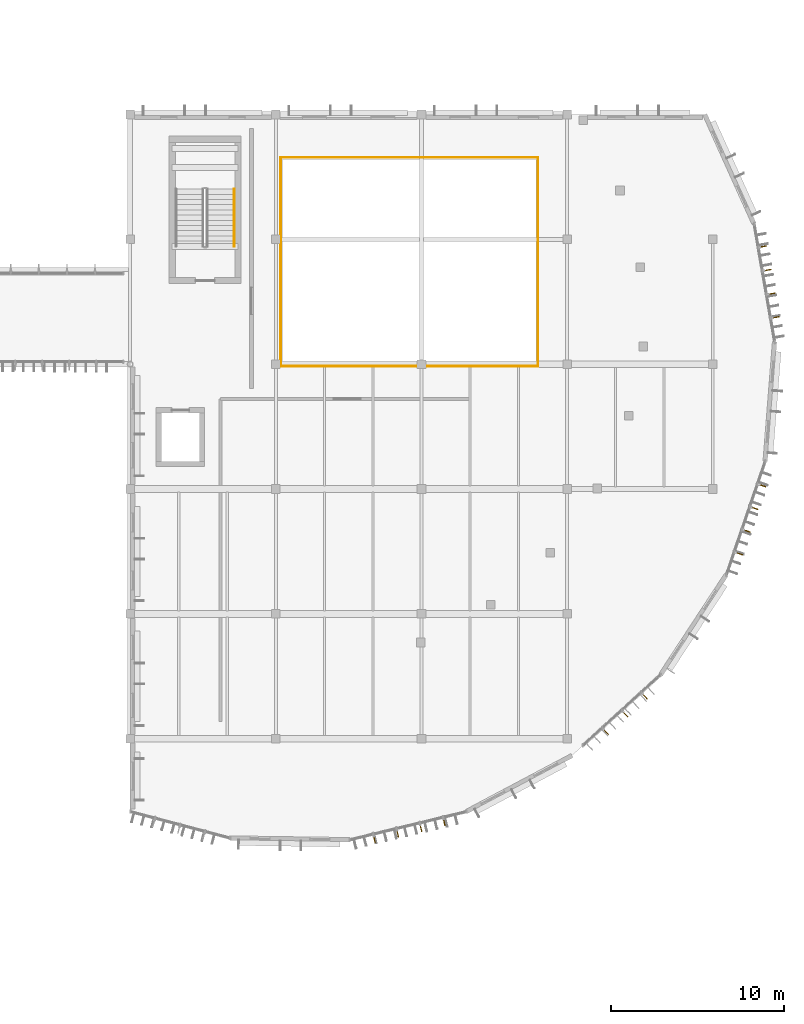
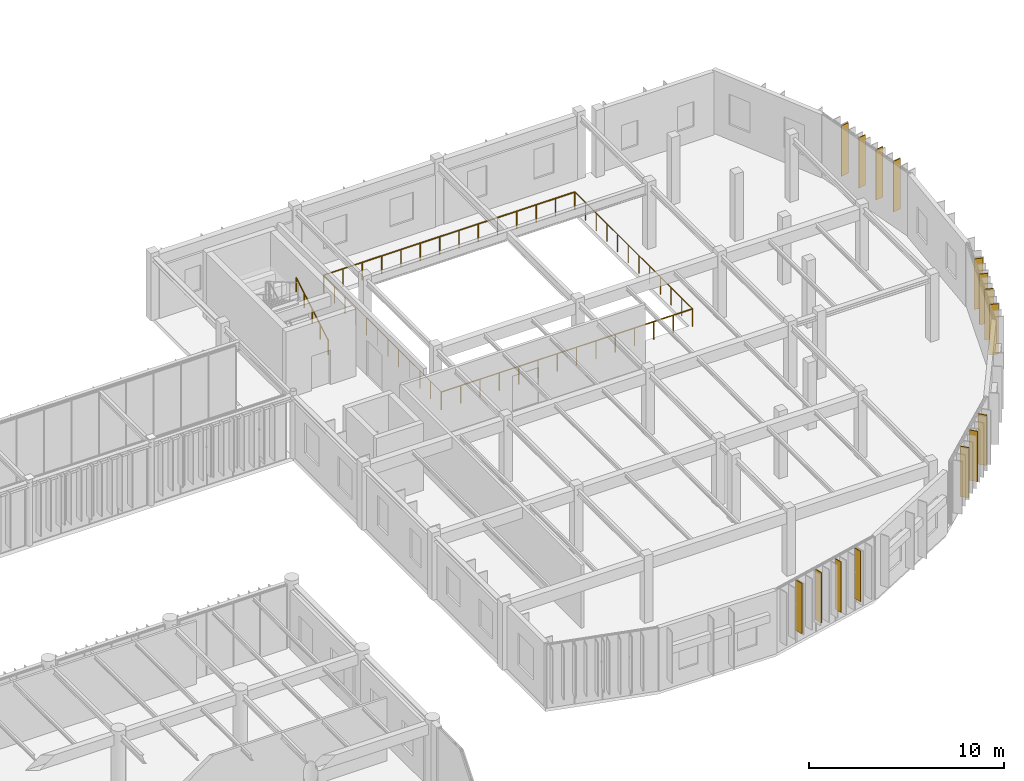
# One storey, part 121 of 122: 15 shading devices, 5 railings.
"""IFC4 building model written with IfcOpenShell, lengths in metres."""

from ifc_helpers import new_model, si_unit, direction, frame, origin, origin_2d, place, context, subcontext, project, spatial, rectangle, circle, extrude, material, layer, layer_set, material_profile, profile_set, type_object, element, save


model = new_model("IFC4")

# Units and contexts
model_context = context("Model", 3, precision=1e-05, world=origin(), true_north=direction((0.0, 1.0)))
body_context = subcontext(model_context, "Body", "Model", "MODEL_VIEW")
ifc_project = project(units=[si_unit("LENGTHUNIT", "METRE"), si_unit("AREAUNIT", "SQUARE_METRE"), si_unit("VOLUMEUNIT", "CUBIC_METRE"), si_unit("PLANEANGLEUNIT", "RADIAN"), si_unit("MASSUNIT", "GRAM", prefix="KILO")], contexts=[model_context])

# Site, building, storey
site_placement = place(None, origin())
site = spatial("IfcSite", under=ifc_project, at=site_placement, CompositionType="ELEMENT")
building_placement = place(site_placement, origin())
building = spatial("IfcBuilding", under=site, at=building_placement, Name="Tazoul Stagehouse", CompositionType="ELEMENT")
storey_placement = place(building_placement, frame((0.0, 0.0, 4.800048828125)))
storey = spatial("IfcBuildingStorey", under=building, at=storey_placement, Name="L01", CompositionType="ELEMENT", Elevation=4.800048828125)

# Shading devices
ifc_material_1 = material(Name="Anodised Bronze Aluminium 6063-T6", Category="aluminium")
ifc_layer_1 = layer(ifc_material_1, 0.050048828125, Name="Anodised Bronze Aluminium 6063-T6")
ifc_layer_set_1 = layer_set([ifc_layer_1], Name="Anodised Bronze Aluminium 6063-T6")
shading_device_type_1 = type_object("IfcShadingDeviceType", Name="Angled Acoustic Sun-Screen Blade 460", PredefinedType="USERDEFINED", material=ifc_layer_set_1)
for number, where, z_axis, x_axis, name in (
    (1, (139.477783203125, 17.223388671875, 0.75), (0.0, 0.0, 1.0), (0.972063098492, 0.234719689311, 0.0), "Shading Louvre FIN-02 CW-V4-DRUM-L01-S03-SHD01"),
    (2, (142.16455078125, 17.8720703125, 0.75), (0.0, 0.0, 1.0), (0.972063098492, 0.234719689311, 0.0), "Shading Louvre FIN-02 CW-V4-DRUM-L01-S03-SHD03"),
    (3, (152.821044921875, 23.4140625, 0.75), (0.0, 0.0, 1.0), (0.739146956888, 0.673544190178, 0.0), "Shading Louvre FIN-02 CW-V4-DRUM-L01-S05-SHD01"),
    (4, (155.064453125, 25.458251953125, 0.75), (0.0, 0.0, 1.0), (0.739146956888, 0.673544190178, 0.0), "Shading Louvre FIN-02 CW-V4-DRUM-L01-S05-SHD03"),
    (5, (160.50146484375, 33.681640625, 0.75), (0.0, 0.0, 1.0), (0.323785316605, 0.946130577009, 0.0), "Shading Louvre FIN-02 CW-V4-DRUM-L01-S07-SHD01"),
    (6, (161.396484375, 36.296875, 0.75), (0.0, 0.0, 1.0), (0.323785316605, 0.946130577009, 0.0), "Shading Louvre FIN-02 CW-V4-DRUM-L01-S07-SHD03"),
    (7, (162.608642578125, 47.30126953125, 0.75), (0.0, 0.0, 1.0), (-0.171495809953, 0.985184849238, 0.0), "Shading Louvre FIN-02 CW-V4-DRUM-L01-S09-SHD01"),
    (8, (162.134521484375, 50.0244140625, 0.75), (0.0, 0.0, 1.0), (-0.171495809953, 0.985184849238, 0.0), "Shading Louvre FIN-02 CW-V4-DRUM-L01-S09-SHD03"),
):
    element("IfcShadingDevice", number, at=place(storey_placement, frame(where, z_axis=z_axis, x_axis=x_axis)), inside=storey, type_object=shading_device_type_1, Name=name, ObjectType="FIN", PredefinedType="USERDEFINED", context=body_context, shape_type="SweptSolid", body=[
        extrude(rectangle(XDim=0.044921875, YDim=0.4599609375, at=origin_2d()), origin(), (0.0, 0.0, 1.0), 3.14990234375),
    ])

# Railings
ifc_material_2 = material(Name="Brushed Stainless Steel 316L", Category="steel")
ifc_material_profile_1 = material_profile(ifc_material_2, circle(Radius=0.02392578125, at=origin_2d()), Name="SS RAIL D48")
ifc_profile_set_1 = profile_set([ifc_material_profile_1], Name="Brushed Stainless Steel 316L")
railing_type_1 = type_object("IfcRailingType", Name="Architectural Guardrail H1120", PredefinedType="GUARDRAIL", material=ifc_profile_set_1)
railing_1_placement = place(storey_placement, frame((134.080078125, 44.47998046875, 0.0)))
element("IfcRailing", 9, at=railing_1_placement, inside=storey, type_object=railing_type_1, Name="L01 Open-Edge Guard GRD-01 (GRD-VOID4-S1)", PredefinedType="GUARDRAIL", context=body_context, shape_type="SweptSolid", body=[
    extrude(circle(Radius=0.02392578125, at=origin_2d()), frame((0.0, 0.0, 1.09619140625), z_axis=(1.0, 0.0, 0.0), x_axis=(0.0, 1.0, 0.0)), (0.0, 0.0, 1.0), 14.83984375),
    extrude(circle(Radius=0.02099609375, at=origin_2d()), origin(), (0.0, 0.0, 1.0), 1.072021484375),
    extrude(circle(Radius=0.02099609375, at=origin_2d()), frame((1.1416015625, 0.0, 0.0)), (0.0, 0.0, 1.0), 1.072021484375),
    extrude(circle(Radius=0.02099609375, at=origin_2d()), frame((2.282958984375, 0.0, 0.0)), (0.0, 0.0, 1.0), 1.072021484375),
    extrude(circle(Radius=0.02099609375, at=origin_2d()), frame((3.424560546875, 0.0, 0.0)), (0.0, 0.0, 1.0), 1.072021484375),
    extrude(circle(Radius=0.02099609375, at=origin_2d()), frame((4.566162109375, 0.0, 0.0)), (0.0, 0.0, 1.0), 1.072021484375),
    extrude(circle(Radius=0.02099609375, at=origin_2d()), frame((5.70751953125, 0.0, 0.0)), (0.0, 0.0, 1.0), 1.072021484375),
    extrude(circle(Radius=0.02099609375, at=origin_2d()), frame((6.84912109375, 0.0, 0.0)), (0.0, 0.0, 1.0), 1.072021484375),
    extrude(circle(Radius=0.02099609375, at=origin_2d()), frame((7.99072265625, 0.0, 0.0)), (0.0, 0.0, 1.0), 1.072021484375),
    extrude(circle(Radius=0.02099609375, at=origin_2d()), frame((9.13232421875, 0.0, 0.0)), (0.0, 0.0, 1.0), 1.072021484375),
    extrude(circle(Radius=0.02099609375, at=origin_2d()), frame((10.273681640625, 0.0, 0.0)), (0.0, 0.0, 1.0), 1.072021484375),
    extrude(circle(Radius=0.02099609375, at=origin_2d()), frame((11.415283203125, 0.0, 0.0)), (0.0, 0.0, 1.0), 1.072021484375),
    extrude(circle(Radius=0.02099609375, at=origin_2d()), frame((12.556884765625, 0.0, 0.0)), (0.0, 0.0, 1.0), 1.072021484375),
    extrude(circle(Radius=0.02099609375, at=origin_2d()), frame((13.6982421875, 0.0, 0.0)), (0.0, 0.0, 1.0), 1.072021484375),
    extrude(circle(Radius=0.02099609375, at=origin_2d()), frame((14.83984375, 0.0, 0.0)), (0.0, 0.0, 1.0), 1.072021484375),
])
railing_2_placement = place(storey_placement, frame((148.919921875, 44.47998046875, 0.0)))
element("IfcRailing", 10, at=railing_2_placement, inside=storey, type_object=railing_type_1, Name="L01 Open-Edge Guard GRD-01 (GRD-VOID4-E1)", PredefinedType="GUARDRAIL", context=body_context, shape_type="SweptSolid", body=[
    extrude(circle(Radius=0.02392578125, at=origin_2d()), frame((0.0, 0.0, 1.09619140625), z_axis=(0.0, 1.0, 0.0), x_axis=(-1.0, 0.0, 0.0)), (0.0, 0.0, 1.0), 12.0400390625),
    extrude(circle(Radius=0.02099609375, at=origin_2d()), origin(), (0.0, 0.0, 1.0), 1.072021484375),
    extrude(circle(Radius=0.02099609375, at=origin_2d()), frame((0.0, 1.094482421875, 0.0)), (0.0, 0.0, 1.0), 1.072021484375),
    extrude(circle(Radius=0.02099609375, at=origin_2d()), frame((0.0, 2.189208984375, 0.0)), (0.0, 0.0, 1.0), 1.072021484375),
    extrude(circle(Radius=0.02099609375, at=origin_2d()), frame((0.0, 3.28369140625, 0.0)), (0.0, 0.0, 1.0), 1.072021484375),
    extrude(circle(Radius=0.02099609375, at=origin_2d()), frame((0.0, 4.378173828125, 0.0)), (0.0, 0.0, 1.0), 1.072021484375),
    extrude(circle(Radius=0.02099609375, at=origin_2d()), frame((0.0, 5.47265625, 0.0)), (0.0, 0.0, 1.0), 1.072021484375),
    extrude(circle(Radius=0.02099609375, at=origin_2d()), frame((0.0, 6.5673828125, 0.0)), (0.0, 0.0, 1.0), 1.072021484375),
    extrude(circle(Radius=0.02099609375, at=origin_2d()), frame((0.0, 7.661865234375, 0.0)), (0.0, 0.0, 1.0), 1.072021484375),
    extrude(circle(Radius=0.02099609375, at=origin_2d()), frame((0.0, 8.75634765625, 0.0)), (0.0, 0.0, 1.0), 1.072021484375),
    extrude(circle(Radius=0.02099609375, at=origin_2d()), frame((0.0, 9.850830078125, 0.0)), (0.0, 0.0, 1.0), 1.072021484375),
    extrude(circle(Radius=0.02099609375, at=origin_2d()), frame((0.0, 10.945556640625, 0.0)), (0.0, 0.0, 1.0), 1.072021484375),
    extrude(circle(Radius=0.02099609375, at=origin_2d()), frame((0.0, 12.0400390625, 0.0)), (0.0, 0.0, 1.0), 1.072021484375),
])
railing_3_placement = place(storey_placement, frame((148.919921875, 56.52001953125, 0.0)))
element("IfcRailing", 11, at=railing_3_placement, inside=storey, type_object=railing_type_1, Name="L01 Open-Edge Guard GRD-01 (GRD-VOID4-N1)", PredefinedType="GUARDRAIL", context=body_context, shape_type="SweptSolid", body=[
    extrude(circle(Radius=0.02392578125, at=origin_2d()), frame((0.0, 0.0, 1.09619140625), z_axis=(-1.0, 0.0, 0.0), x_axis=(0.0, -1.0, 0.0)), (0.0, 0.0, 1.0), 14.83984375),
    extrude(circle(Radius=0.02099609375, at=origin_2d()), origin(), (0.0, 0.0, 1.0), 1.072021484375),
    extrude(circle(Radius=0.02099609375, at=origin_2d()), frame((-1.1416015625, 0.0, 0.0)), (0.0, 0.0, 1.0), 1.072021484375),
    extrude(circle(Radius=0.02099609375, at=origin_2d()), frame((-2.282958984375, 0.0, 0.0)), (0.0, 0.0, 1.0), 1.072021484375),
    extrude(circle(Radius=0.02099609375, at=origin_2d()), frame((-3.424560546875, 0.0, 0.0)), (0.0, 0.0, 1.0), 1.072021484375),
    extrude(circle(Radius=0.02099609375, at=origin_2d()), frame((-4.566162109375, 0.0, 0.0)), (0.0, 0.0, 1.0), 1.072021484375),
    extrude(circle(Radius=0.02099609375, at=origin_2d()), frame((-5.70751953125, 0.0, 0.0)), (0.0, 0.0, 1.0), 1.072021484375),
    extrude(circle(Radius=0.02099609375, at=origin_2d()), frame((-6.84912109375, 0.0, 0.0)), (0.0, 0.0, 1.0), 1.072021484375),
    extrude(circle(Radius=0.02099609375, at=origin_2d()), frame((-7.99072265625, 0.0, 0.0)), (0.0, 0.0, 1.0), 1.072021484375),
    extrude(circle(Radius=0.02099609375, at=origin_2d()), frame((-9.13232421875, 0.0, 0.0)), (0.0, 0.0, 1.0), 1.072021484375),
    extrude(circle(Radius=0.02099609375, at=origin_2d()), frame((-10.273681640625, 0.0, 0.0)), (0.0, 0.0, 1.0), 1.072021484375),
    extrude(circle(Radius=0.02099609375, at=origin_2d()), frame((-11.415283203125, 0.0, 0.0)), (0.0, 0.0, 1.0), 1.072021484375),
    extrude(circle(Radius=0.02099609375, at=origin_2d()), frame((-12.556884765625, 0.0, 0.0)), (0.0, 0.0, 1.0), 1.072021484375),
    extrude(circle(Radius=0.02099609375, at=origin_2d()), frame((-13.6982421875, 0.0, 0.0)), (0.0, 0.0, 1.0), 1.072021484375),
    extrude(circle(Radius=0.02099609375, at=origin_2d()), frame((-14.83984375, 0.0, 0.0)), (0.0, 0.0, 1.0), 1.072021484375),
])
railing_4_placement = place(storey_placement, frame((134.080078125, 56.52001953125, 0.0)))
element("IfcRailing", 12, at=railing_4_placement, inside=storey, type_object=railing_type_1, Name="L01 Open-Edge Guard GRD-01 (GRD-VOID4-W1)", PredefinedType="GUARDRAIL", context=body_context, shape_type="SweptSolid", body=[
    extrude(circle(Radius=0.02392578125, at=origin_2d()), frame((0.0, 0.0, 1.09619140625), z_axis=(0.0, -1.0, 0.0), x_axis=(1.0, 0.0, 0.0)), (0.0, 0.0, 1.0), 12.0400390625),
    extrude(circle(Radius=0.02099609375, at=origin_2d()), origin(), (0.0, 0.0, 1.0), 1.072021484375),
    extrude(circle(Radius=0.02099609375, at=origin_2d()), frame((0.0, -1.094482421875, 0.0)), (0.0, 0.0, 1.0), 1.072021484375),
    extrude(circle(Radius=0.02099609375, at=origin_2d()), frame((0.0, -2.189208984375, 0.0)), (0.0, 0.0, 1.0), 1.072021484375),
    extrude(circle(Radius=0.02099609375, at=origin_2d()), frame((0.0, -3.28369140625, 0.0)), (0.0, 0.0, 1.0), 1.072021484375),
    extrude(circle(Radius=0.02099609375, at=origin_2d()), frame((0.0, -4.378173828125, 0.0)), (0.0, 0.0, 1.0), 1.072021484375),
    extrude(circle(Radius=0.02099609375, at=origin_2d()), frame((0.0, -5.47265625, 0.0)), (0.0, 0.0, 1.0), 1.072021484375),
    extrude(circle(Radius=0.02099609375, at=origin_2d()), frame((0.0, -6.5673828125, 0.0)), (0.0, 0.0, 1.0), 1.072021484375),
    extrude(circle(Radius=0.02099609375, at=origin_2d()), frame((0.0, -7.661865234375, 0.0)), (0.0, 0.0, 1.0), 1.072021484375),
    extrude(circle(Radius=0.02099609375, at=origin_2d()), frame((0.0, -8.75634765625, 0.0)), (0.0, 0.0, 1.0), 1.072021484375),
    extrude(circle(Radius=0.02099609375, at=origin_2d()), frame((0.0, -9.850830078125, 0.0)), (0.0, 0.0, 1.0), 1.072021484375),
    extrude(circle(Radius=0.02099609375, at=origin_2d()), frame((0.0, -10.945556640625, 0.0)), (0.0, 0.0, 1.0), 1.072021484375),
    extrude(circle(Radius=0.02099609375, at=origin_2d()), frame((0.0, -12.0400390625, 0.0)), (0.0, 0.0, 1.0), 1.072021484375),
])
ifc_material_profile_2 = material_profile(ifc_material_2, circle(Radius=0.02099609375, at=origin_2d()), Name="SS HANDRAIL D42")
ifc_profile_set_2 = profile_set([ifc_material_profile_2], Name="Brushed Stainless Steel 316L")
railing_type_2 = type_object("IfcRailingType", Name="Continuous Stair Handrail H900", PredefinedType="HANDRAIL", material=ifc_profile_set_2)
railing_5_placement = place(storey_placement, frame((131.39990234375, 51.39990234375, 0.175048828125)))
element("IfcRailing", 13, at=railing_5_placement, inside=storey, type_object=railing_type_2, Name="L01 ST-07 stair handrail 1", PredefinedType="HANDRAIL", context=body_context, shape_type="SweptSolid", body=[
    extrude(circle(Radius=0.02392578125, at=origin_2d()), frame((0.0, 0.0, 0.8759765625), z_axis=(0.0, 0.863804395585, 0.503827317807), x_axis=(-1.0, 0.0, 0.0)), (0.0, 0.0, 1.0), 3.8203125),
    extrude(circle(Radius=0.02099609375, at=origin_2d()), origin(), (0.0, 0.0, 1.0), 0.851806640625),
    extrude(circle(Radius=0.02099609375, at=origin_2d()), frame((0.0, 0.824951171875, 0.481201171875)), (0.0, 0.0, 1.0), 0.851806640625),
    extrude(circle(Radius=0.02099609375, at=origin_2d()), frame((0.0, 1.64990234375, 0.96240234375)), (0.0, 0.0, 1.0), 0.851806640625),
    extrude(circle(Radius=0.02099609375, at=origin_2d()), frame((0.0, 2.47509765625, 1.443603515625)), (0.0, 0.0, 1.0), 0.851806640625),
    extrude(circle(Radius=0.02099609375, at=origin_2d()), frame((0.0, 3.300048828125, 1.9248046875)), (0.0, 0.0, 1.0), 0.851806640625),
])

# Shading devices
ifc_layer_2 = layer(ifc_material_1, 0.044921875, Name="Anodised Bronze Aluminium 6063-T6")
ifc_layer_set_2 = layer_set([ifc_layer_2], Name="Anodised Bronze Aluminium 6063-T6")
shading_device_type_2 = type_object("IfcShadingDeviceType", Name="Vertical Extruded Terracotta-Bronze Louvre 460", PredefinedType="JALOUSIE", material=ifc_layer_set_2)
for number, where, z_axis, x_axis, name in (
    (14, (140.821044921875, 17.547607421875, 0.75), (0.0, 0.0, 1.0), (0.972063098492, 0.234719689311, 0.0), "Shading Louvre FIN-01 CW-V4-DRUM-L01-S03-SHD02"),
    (15, (143.508056640625, 18.196533203125, 0.75), (0.0, 0.0, 1.0), (0.972063098492, 0.234719689311, 0.0), "Shading Louvre FIN-01 CW-V4-DRUM-L01-S03-SHD04"),
    (16, (153.94287109375, 24.43603515625, 0.75), (0.0, 0.0, 1.0), (0.739146956888, 0.673544190178, 0.0), "Shading Louvre FIN-01 CW-V4-DRUM-L01-S05-SHD02"),
    (17, (160.948974609375, 34.9892578125, 0.75), (0.0, 0.0, 1.0), (0.323785316605, 0.946130577009, 0.0), "Shading Louvre FIN-01 CW-V4-DRUM-L01-S07-SHD02"),
    (18, (161.843994140625, 37.6044921875, 0.75), (0.0, 0.0, 1.0), (0.323785316605, 0.946130577009, 0.0), "Shading Louvre FIN-01 CW-V4-DRUM-L01-S07-SHD04"),
    (19, (162.37158203125, 48.6630859375, 0.75), (0.0, 0.0, 1.0), (-0.171495809953, 0.985184849238, 0.0), "Shading Louvre FIN-01 CW-V4-DRUM-L01-S09-SHD02"),
    (20, (161.897705078125, 51.385986328125, 0.75), (0.0, 0.0, 1.0), (-0.171495809953, 0.985184849238, 0.0), "Shading Louvre FIN-01 CW-V4-DRUM-L01-S09-SHD04"),
):
    element("IfcShadingDevice", number, at=place(storey_placement, frame(where, z_axis=z_axis, x_axis=x_axis)), inside=storey, type_object=shading_device_type_2, Name=name, PredefinedType="JALOUSIE", context=body_context, shape_type="SweptSolid", body=[
        extrude(rectangle(XDim=0.044921875, YDim=0.4599609375, at=origin_2d()), origin(), (0.0, 0.0, 1.0), 3.14990234375),
    ])

save(model, "model.ifc")
